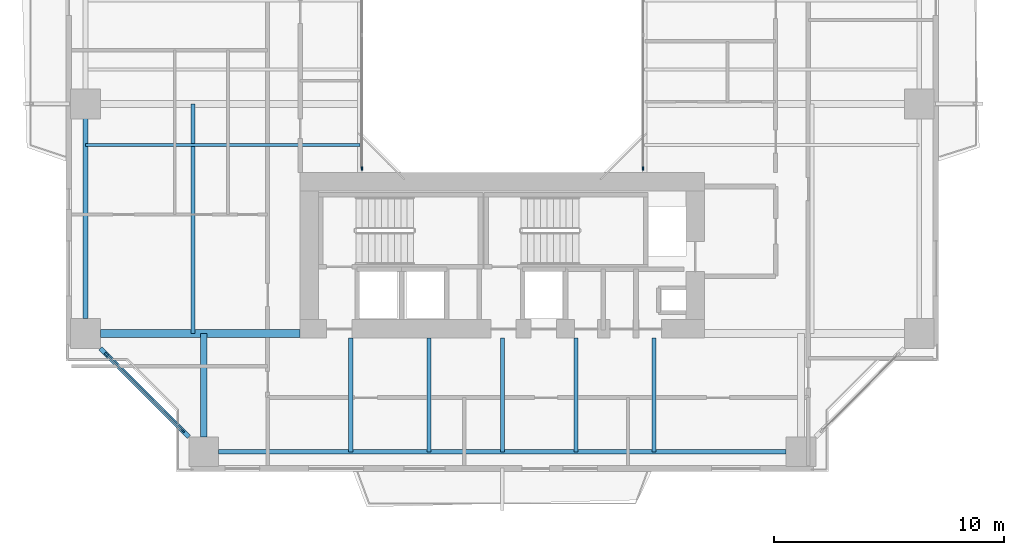
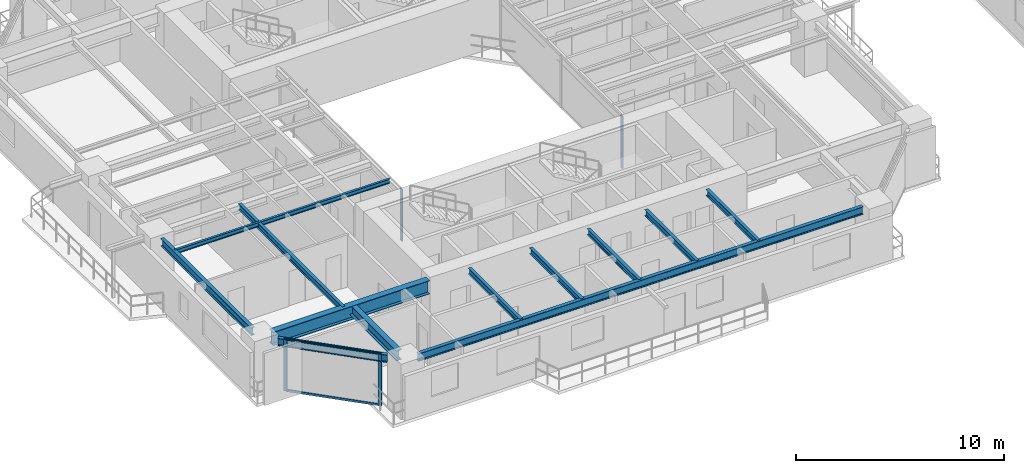
# One storey, part 2 of 23: 12 beams, 6 members, 3 elements without a shape of their own.
"""IFC4 building model written with IfcOpenShell, lengths in metres."""

from ifc_helpers import new_model, si_unit, direction, frame, origin, origin_2d, place, context, subcontext, project, spatial, rectangle, i_section, extrude, source, transform, mapped, material, layer, layer_set, material_profile, profile_set, type_object, element, aggregate, save


model = new_model("IFC4")

# Units and contexts
model_context = context("Model", 3, precision=1e-05, world=origin(), true_north=direction((0.0, 1.0)))
body_context = subcontext(model_context, "Body", "Model", "MODEL_VIEW")
ifc_project = project(units=[si_unit("LENGTHUNIT", "METRE"), si_unit("AREAUNIT", "SQUARE_METRE"), si_unit("VOLUMEUNIT", "CUBIC_METRE"), si_unit("PLANEANGLEUNIT", "RADIAN"), si_unit("MASSUNIT", "GRAM", prefix="KILO"), si_unit("THERMODYNAMICTEMPERATUREUNIT", "KELVIN"), si_unit("POWERUNIT", "WATT")], contexts=[model_context])

# Site, building, storey
site_placement = place(None, origin())
site = spatial("IfcSite", under=ifc_project, at=site_placement, CompositionType="ELEMENT")
building_placement = place(site_placement, origin())
building = spatial("IfcBuilding", under=site, at=building_placement, Name="Qiaomeng Ring Towers", CompositionType="ELEMENT")
storey_placement = place(building_placement, frame((0.0, 0.0, 26.25)))
storey = spatial("IfcBuildingStorey", under=building, at=storey_placement, Name="L06", CompositionType="ELEMENT", Elevation=26.25)

# Beams
ifc_material_1 = material(Name="Steel Q355B", Category="steel")
ifc_material_profile_1 = material_profile(ifc_material_1, i_section(OverallWidth=0.199951171875, OverallDepth=0.449951171875, WebThickness=0.009033203125, FlangeThickness=0.013916015625, FilletRadius=0.01806640625, at=origin_2d()), Name="HN 450x200x9x14")
ifc_profile_set_1 = profile_set([ifc_material_profile_1], Name="Steel Q355B")
beam_type_1 = type_object("IfcBeamType", Name="STR-BM-HN450", PredefinedType="SPANDREL", material=ifc_profile_set_1)
shared_shape_1 = source(origin(), body_context, "Body", "SweptSolid", [
    extrude(i_section(OverallWidth=0.199951171875, OverallDepth=0.449951171875, WebThickness=0.009033203125, FlangeThickness=0.013916015625, FilletRadius=0.01806640625, at=origin_2d()), origin(), (0.0, 0.0, 1.0), 24.7021484375),
])
beam_1_placement = place(storey_placement, frame((6.64892578125, 4.85009765625, 2.844970703125), z_axis=(1.0, 0.0, 0.0), x_axis=(0.0, 1.0, 0.0)))
element("IfcBeam", 1, at=beam_1_placement, inside=storey, type_object=beam_type_1, Name="L06 beam STR-SP-L06-T1-S1-S2", PredefinedType="SPANDREL", context=body_context, shape_type="MappedRepresentation", body=[
    mapped(shared_shape_1, transform((0.0, 0.0, 0.0), x_axis=(1.0, 0.0, 0.0), y_axis=(0.0, 1.0, 0.0), z_axis=(0.0, 0.0, 1.0), scale=1.0)),
])
shared_shape_2 = source(origin(), body_context, "Body", "SweptSolid", [
    extrude(i_section(OverallWidth=0.199951171875, OverallDepth=0.449951171875, WebThickness=0.009033203125, FlangeThickness=0.013916015625, FilletRadius=0.01806640625, at=origin_2d()), origin(), (0.0, 0.0, 1.0), 5.446533203125),
])
beam_2_placement = place(storey_placement, frame((1.499267578125, 9.3505859375, 2.844970703125), z_axis=(0.707106781187, -0.707106781187, 0.0), x_axis=(0.707106781187, 0.707106781187, 0.0)))
element("IfcBeam", 2, at=beam_2_placement, inside=storey, type_object=beam_type_1, Name="L06 beam STR-SP-L06-T1-W1-S1", PredefinedType="SPANDREL", context=body_context, shape_type="MappedRepresentation", body=[
    mapped(shared_shape_2, transform((0.0, 0.0, 0.0), x_axis=(1.0, 0.0, 0.0), y_axis=(0.0, 1.0, 0.0), z_axis=(0.0, 0.0, 1.0), scale=1.0)),
])
shared_shape_3 = source(origin(), body_context, "Body", "SweptSolid", [
    extrude(i_section(OverallWidth=0.199951171875, OverallDepth=0.449951171875, WebThickness=0.009033203125, FlangeThickness=0.013916015625, FilletRadius=0.01806640625, at=origin_2d()), origin(), (0.0, 0.0, 1.0), 8.7021484375),
])
beam_3_placement = place(storey_placement, frame((0.85009765625, 19.35107421875, 2.844970703125), z_axis=(0.0, -1.0, 0.0), x_axis=(1.0, 0.0, 0.0)))
element("IfcBeam", 3, at=beam_3_placement, inside=storey, type_object=beam_type_1, Name="L06 beam STR-SP-L06-T1-W2-W1", PredefinedType="SPANDREL", context=body_context, shape_type="MappedRepresentation", body=[
    mapped(shared_shape_3, transform((0.0, 0.0, 0.0), x_axis=(1.0, 0.0, 0.0), y_axis=(0.0, 1.0, 0.0), z_axis=(0.0, 0.0, 1.0), scale=1.0)),
])
ifc_material_2 = material(Name="Steel Q390GJC", Category="steel")
ifc_material_profile_2 = material_profile(ifc_material_2, i_section(OverallWidth=0.35009765625, OverallDepth=0.800048828125, WebThickness=0.01611328125, FlangeThickness=0.028076171875, at=origin_2d()), Name="WH 800x350x16x28")
ifc_profile_set_2 = profile_set([ifc_material_profile_2], Name="Steel Q390GJC")
beam_type_2 = type_object("IfcBeamType", Name="STR-BM-WH800", PredefinedType="BEAM", material=ifc_profile_set_2)
shared_shape_4 = source(origin(), body_context, "Body", "SweptSolid", [
    extrude(i_section(OverallWidth=0.35009765625, OverallDepth=0.800048828125, WebThickness=0.01611328125, FlangeThickness=0.028076171875, at=origin_2d()), origin(), (0.0, 0.0, 1.0), 8.700927734375),
])
beam_4_placement = place(storey_placement, frame((1.4990234375, 10.0, 2.669921875), z_axis=(1.0, 0.0, 0.0), x_axis=(0.0, 1.0, 0.0)))
element("IfcBeam", 4, at=beam_4_placement, inside=storey, type_object=beam_type_2, Name="L06 beam STR-BM-L06-T1-RAD-W1", PredefinedType="BEAM", context=body_context, shape_type="MappedRepresentation", body=[
    mapped(shared_shape_4, transform((0.0, 0.0, 0.0), x_axis=(1.0, 0.0, 0.0), y_axis=(0.0, 1.0, 0.0), z_axis=(0.0, 0.0, 1.0), scale=1.0)),
])
ifc_material_profile_3 = material_profile(ifc_material_1, i_section(OverallWidth=0.300048828125, OverallDepth=0.587890625, WebThickness=0.011962890625, FlangeThickness=0.02001953125, FilletRadius=0.028076171875, at=origin_2d()), Name="HM 588x300x12x20")
ifc_profile_set_3 = profile_set([ifc_material_profile_3], Name="Steel Q355B")
beam_type_3 = type_object("IfcBeamType", Name="STR-BM-HM588", PredefinedType="BEAM", material=ifc_profile_set_3)
shared_shape_5 = source(origin(), body_context, "Body", "SweptSolid", [
    extrude(i_section(OverallWidth=0.300048828125, OverallDepth=0.587890625, WebThickness=0.011962890625, FlangeThickness=0.02001953125, FilletRadius=0.028076171875, at=origin_2d()), origin(), (0.0, 0.0, 1.0), 4.5009765625),
])
beam_5_placement = place(storey_placement, frame((6.0, 5.4990234375, 2.77587890625), z_axis=(0.0, 1.0, 0.0), x_axis=(-1.0, 0.0, 0.0)))
element("IfcBeam", 5, at=beam_5_placement, inside=storey, type_object=beam_type_3, Name="L06 beam STR-BM-L06-T1-RAD-S1", PredefinedType="BEAM", context=body_context, shape_type="MappedRepresentation", body=[
    mapped(shared_shape_5, transform((0.0, 0.0, 0.0), x_axis=(1.0, 0.0, 0.0), y_axis=(0.0, 1.0, 0.0), z_axis=(0.0, 0.0, 1.0), scale=1.0)),
])
ifc_material_profile_4 = material_profile(ifc_material_1, i_section(OverallWidth=0.175048828125, OverallDepth=0.35009765625, WebThickness=0.007080078125, FlangeThickness=0.010986328125, FilletRadius=0.013916015625, at=origin_2d()), Name="HN 350x175x7x11")
ifc_profile_set_4 = profile_set([ifc_material_profile_4], Name="Steel Q355B")
beam_type_4 = type_object("IfcBeamType", Name="STR-BM-HN350", PredefinedType="JOIST", material=ifc_profile_set_4)
shared_shape_6 = source(origin(), body_context, "Body", "SweptSolid", [
    extrude(i_section(OverallWidth=0.175048828125, OverallDepth=0.35009765625, WebThickness=0.007080078125, FlangeThickness=0.010986328125, FilletRadius=0.013916015625, at=origin_2d()), origin(), (0.0, 0.0, 1.0), 4.949951171875),
])
for number, where, z_axis, x_axis, name in (
    (6, (12.39990234375, 4.85009765625, 2.89501953125), (0.0, 1.0, 0.0), (-1.0, 0.0, 0.0), "L06 beam STR-JST-L06-T1S-1"),
    (7, (15.800048828125, 4.85009765625, 2.89501953125), (0.0, 1.0, 0.0), (-1.0, 0.0, 0.0), "L06 beam STR-JST-L06-T1S-2"),
    (8, (19.0, 4.85009765625, 2.89501953125), (0.0, 1.0, 0.0), (-1.0, 0.0, 0.0), "L06 beam STR-JST-L06-T1S-3"),
    (9, (22.199951171875, 4.85009765625, 2.89501953125), (0.0, 1.0, 0.0), (-1.0, 0.0, 0.0), "L06 beam STR-JST-L06-T1S-4"),
    (10, (25.60009765625, 4.85009765625, 2.89501953125), (0.0, 1.0, 0.0), (-1.0, 0.0, 0.0), "L06 beam STR-JST-L06-T1S-5"),
):
    element("IfcBeam", number, at=place(storey_placement, frame(where, z_axis=z_axis, x_axis=x_axis)), inside=storey, type_object=beam_type_4, Name=name, PredefinedType="JOIST", context=body_context, shape_type="MappedRepresentation", body=[
        mapped(shared_shape_6, transform((0.0, 0.0, 0.0), x_axis=(1.0, 0.0, 0.0), y_axis=(0.0, 1.0, 0.0), z_axis=(0.0, 0.0, 1.0), scale=1.0)),
    ])
ifc_material_profile_5 = material_profile(ifc_material_1, i_section(OverallWidth=0.125, OverallDepth=0.25, WebThickness=0.006103515625, FlangeThickness=0.009033203125, FilletRadius=0.011962890625, at=origin_2d()), Name="HN 250x125x6x9")
ifc_profile_set_5 = profile_set([ifc_material_profile_5], Name="Steel Q355B")
beam_type_5 = type_object("IfcBeamType", Name="STR-BM-HN250", PredefinedType="JOIST", material=ifc_profile_set_5)
shared_shape_7 = source(origin(), body_context, "Body", "SweptSolid", [
    extrude(i_section(OverallWidth=0.125, OverallDepth=0.25, WebThickness=0.006103515625, FlangeThickness=0.009033203125, FilletRadius=0.011962890625, at=origin_2d()), origin(), (0.0, 0.0, 1.0), 11.949951171875),
])
beam_6_placement = place(storey_placement, frame((0.85009765625, 18.199951171875, 2.945068359375), z_axis=(1.0, 0.0, 0.0), x_axis=(0.0, 1.0, 0.0)))
element("IfcBeam", 11, at=beam_6_placement, inside=storey, type_object=beam_type_5, Name="L06 beam STR-JST-L06-T1W-1", PredefinedType="JOIST", context=body_context, shape_type="MappedRepresentation", body=[
    mapped(shared_shape_7, transform((0.0, 0.0, 0.0), x_axis=(1.0, 0.0, 0.0), y_axis=(0.0, 1.0, 0.0), z_axis=(0.0, 0.0, 1.0), scale=1.0)),
])
shared_shape_8 = source(origin(), body_context, "Body", "SweptSolid", [
    extrude(i_section(OverallWidth=0.175048828125, OverallDepth=0.35009765625, WebThickness=0.007080078125, FlangeThickness=0.010986328125, FilletRadius=0.013916015625, at=origin_2d()), origin(), (0.0, 0.0, 1.0), 10.0),
])
beam_7_placement = place(storey_placement, frame((5.52490234375, 10.0, 2.89501953125), z_axis=(0.0, 1.0, 0.0), x_axis=(-1.0, 0.0, 0.0)))
element("IfcBeam", 12, at=beam_7_placement, inside=storey, type_object=beam_type_4, Name="L06 beam STR-JST-L06-T1C-WS", PredefinedType="JOIST", context=body_context, shape_type="MappedRepresentation", body=[
    mapped(shared_shape_8, transform((0.0, 0.0, 0.0), x_axis=(1.0, 0.0, 0.0), y_axis=(0.0, 1.0, 0.0), z_axis=(0.0, 0.0, 1.0), scale=1.0)),
])

# Curtain wall, member
ifc_material_3 = material(Name="Fluorocarbon dark-grey aluminium", Category="aluminium")
ifc_layer_1 = layer(ifc_material_3, 0.139892578125, Name="Fluorocarbon dark-grey aluminium")
ifc_layer_set_1 = layer_set([ifc_layer_1], Name="Fluorocarbon dark-grey aluminium")
curtain_wall_type_1 = type_object("IfcCurtainWallType", Name="ARC-CW-4", PredefinedType="NOTDEFINED", material=ifc_layer_set_1)
curtain_wall_1_placement = place(storey_placement, origin())
curtain_wall_1 = element("IfcCurtainWall", 13, at=curtain_wall_1_placement, inside=storey, type_object=curtain_wall_type_1, Name="L06 Curtain Wall CW4", PredefinedType="NOTDEFINED")
ifc_material_profile_6 = material_profile(ifc_material_3, rectangle(XDim=0.06494140625, YDim=0.159912109375, at=origin_2d()), Name="ALU MULL 65x160")
ifc_profile_set_6 = profile_set([ifc_material_profile_6], Name="Fluorocarbon dark-grey aluminium")
member_type_1 = type_object("IfcMemberType", Name="ARC-CWM-140", PredefinedType="MULLION", material=ifc_profile_set_6)
shared_shape_9 = source(origin(), body_context, "Body", "SweptSolid", [
    extrude(rectangle(XDim=0.06494140625, YDim=0.159912109375, at=origin_2d()), origin(), (0.0, 0.0, 1.0), 3.070068359375),
])
member_1_placement = place(storey_placement, frame((12.8798828125, 17.1826171875, 0.0), z_axis=(0.0, 0.0, 1.0), x_axis=(-1.0, 0.0, 0.0)))
member_1 = element("IfcMember", 14, at=member_1_placement, type_object=member_type_1, Name="CW4 mullion 1", PredefinedType="MULLION", context=body_context, shape_type="MappedRepresentation", body=[
    mapped(shared_shape_9, transform((0.0, 0.0, 0.0), x_axis=(1.0, 0.0, 0.0), y_axis=(0.0, 1.0, 0.0), z_axis=(0.0, 0.0, 1.0), scale=1.0)),
])
aggregate(curtain_wall_1, [member_1])

curtain_wall_2_placement = place(storey_placement, origin())
curtain_wall_2 = element("IfcCurtainWall", 15, at=curtain_wall_2_placement, inside=storey, type_object=curtain_wall_type_1, Name="L06 Curtain Wall CW4", PredefinedType="NOTDEFINED")
member_2_placement = place(storey_placement, frame((25.1201171875, 17.1826171875, 0.0), z_axis=(0.0, 0.0, 1.0), x_axis=(-1.0, 0.0, 0.0)))
member_2 = element("IfcMember", 16, at=member_2_placement, type_object=member_type_1, Name="CW4 mullion 1", PredefinedType="MULLION", context=body_context, shape_type="MappedRepresentation", body=[
    mapped(shared_shape_9, transform((0.0, 0.0, 0.0), x_axis=(1.0, 0.0, 0.0), y_axis=(0.0, 1.0, 0.0), z_axis=(0.0, 0.0, 1.0), scale=1.0)),
])
aggregate(curtain_wall_2, [member_2])

# Curtain wall, members
ifc_layer_2 = layer(ifc_material_3, 0.159912109375, Name="Fluorocarbon dark-grey aluminium")
ifc_layer_set_2 = layer_set([ifc_layer_2], Name="Fluorocarbon dark-grey aluminium")
curtain_wall_type_2 = type_object("IfcCurtainWallType", Name="ARC-CW-2", PredefinedType="NOTDEFINED", material=ifc_layer_set_2)
curtain_wall_3_placement = place(storey_placement, origin())
curtain_wall_3 = element("IfcCurtainWall", 17, at=curtain_wall_3_placement, inside=storey, type_object=curtain_wall_type_2, Name="L06 Curtain Wall CW2", PredefinedType="NOTDEFINED")
ifc_material_profile_7 = material_profile(ifc_material_3, rectangle(XDim=0.070068359375, YDim=0.179931640625, at=origin_2d()), Name="ALU MULL 70x180")
ifc_profile_set_7 = profile_set([ifc_material_profile_7], Name="Fluorocarbon dark-grey aluminium")
member_type_2 = type_object("IfcMemberType", Name="ARC-CWM-160", PredefinedType="MULLION", material=ifc_profile_set_7)
shared_shape_10 = source(origin(), body_context, "Body", "SweptSolid", [
    extrude(rectangle(XDim=0.070068359375, YDim=0.179931640625, at=origin_2d()), origin(), (0.0, 0.0, 1.0), 3.070068359375),
])
member_3_placement = place(storey_placement, frame((1.7646484375, 9.085205078125, 0.0), z_axis=(0.0, 0.0, 1.0), x_axis=(0.707106781187, 0.707106781187, 0.0)))
member_3 = element("IfcMember", 18, at=member_3_placement, type_object=member_type_2, Name="CW2 mullion 1", PredefinedType="MULLION", context=body_context, shape_type="MappedRepresentation", body=[
    mapped(shared_shape_10, transform((0.0, 0.0, 0.0), x_axis=(1.0, 0.0, 0.0), y_axis=(0.0, 1.0, 0.0), z_axis=(0.0, 0.0, 1.0), scale=1.0)),
])
member_4_placement = place(storey_placement, frame((5.085205078125, 5.7646484375, 0.0), z_axis=(0.0, 0.0, 1.0), x_axis=(0.707106781187, 0.707106781187, 0.0)))
member_4 = element("IfcMember", 19, at=member_4_placement, type_object=member_type_2, Name="CW2 mullion 2", PredefinedType="MULLION", context=body_context, shape_type="MappedRepresentation", body=[
    mapped(shared_shape_10, transform((0.0, 0.0, 0.0), x_axis=(1.0, 0.0, 0.0), y_axis=(0.0, 1.0, 0.0), z_axis=(0.0, 0.0, 1.0), scale=1.0)),
])
ifc_material_profile_8 = material_profile(ifc_material_3, rectangle(XDim=0.06494140625, YDim=0.1298828125, at=origin_2d()), Name="ALU TRAN 65x130")
ifc_profile_set_8 = profile_set([ifc_material_profile_8], Name="Fluorocarbon dark-grey aluminium")
member_type_3 = type_object("IfcMemberType", Name="ARC-CWT-120", PredefinedType="USERDEFINED", material=ifc_profile_set_8)
shared_shape_11 = source(origin(), body_context, "Body", "SweptSolid", [
    extrude(rectangle(XDim=0.06494140625, YDim=0.1298828125, at=origin_2d()), origin(), (0.0, 0.0, 1.0), 4.6259765625),
])
member_5_placement = place(storey_placement, frame((1.78955078125, 9.060546875, 0.032470703125), z_axis=(0.707106781187, -0.707106781187, 0.0), x_axis=(0.707106781187, 0.707106781187, 0.0)))
member_5 = element("IfcMember", 20, at=member_5_placement, type_object=member_type_3, Name="CW2 transom 1.1", ObjectType="TRANSOM", PredefinedType="USERDEFINED", context=body_context, shape_type="MappedRepresentation", body=[
    mapped(shared_shape_11, transform((0.0, 0.0, 0.0), x_axis=(1.0, 0.0, 0.0), y_axis=(0.0, 1.0, 0.0), z_axis=(0.0, 0.0, 1.0), scale=1.0)),
])
member_6_placement = place(storey_placement, frame((1.78955078125, 9.060546875, 3.03759765625), z_axis=(0.707106781187, -0.707106781187, 0.0), x_axis=(0.707106781187, 0.707106781187, 0.0)))
member_6 = element("IfcMember", 21, at=member_6_placement, type_object=member_type_3, Name="CW2 transom 1.2", ObjectType="TRANSOM", PredefinedType="USERDEFINED", context=body_context, shape_type="MappedRepresentation", body=[
    mapped(shared_shape_11, transform((0.0, 0.0, 0.0), x_axis=(1.0, 0.0, 0.0), y_axis=(0.0, 1.0, 0.0), z_axis=(0.0, 0.0, 1.0), scale=1.0)),
])
aggregate(curtain_wall_3, [member_3, member_4, member_5, member_6])

save(model, "model.ifc")
